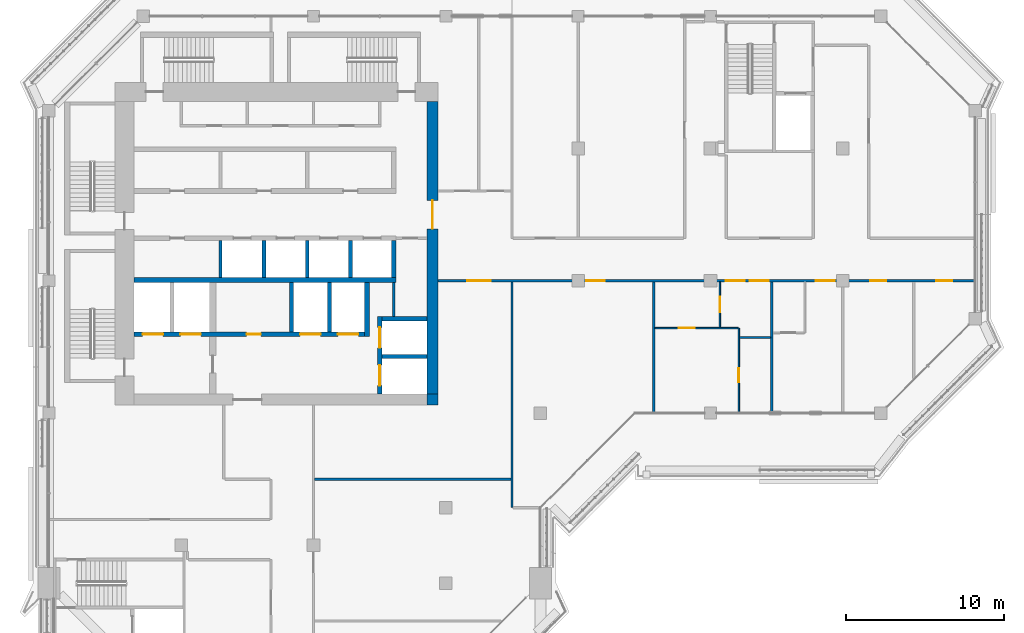
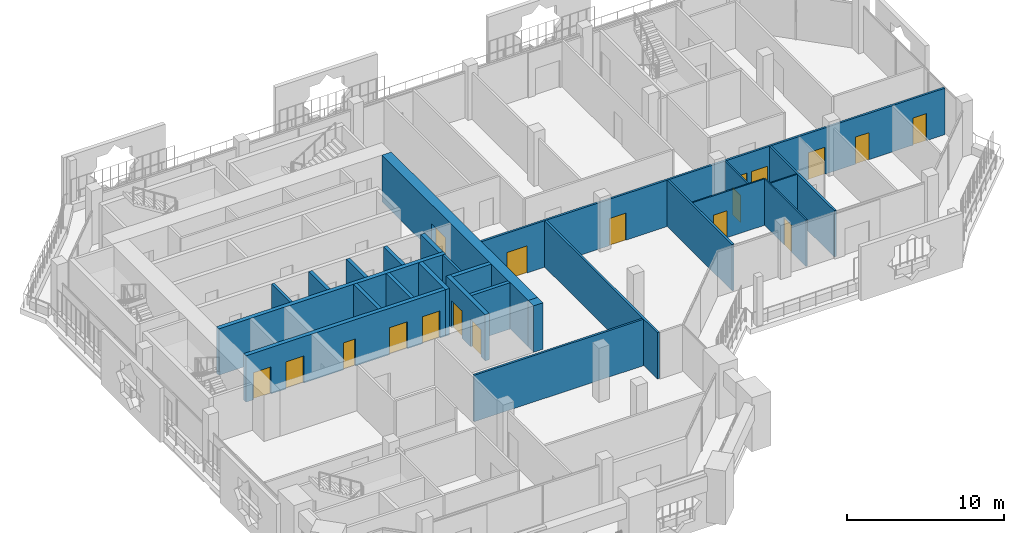
# One storey, part 11 of 22: 25 walls, 18 doors, 18 openings.
"""IFC4 building model written with IfcOpenShell, lengths in metres."""

import ifcopenshell
import ifcopenshell.guid

model = None  # the IFC model being written
_history = None  # IfcOwnerHistory: only IFC2X3 demands one
_inside = {}  # id of a spatial element -> (the spatial element, [elements in it])
_under = {}  # id of a project, library or spatial element -> (it, [spatial elements below it])
_declared = {}  # id of a project -> (the project, [libraries it declares])
_typed = {}  # id of a type object -> (the type object, [elements of that type])
_made_of = {}  # id of a material, layer set ... -> (it, [elements and type objects made of it])


def new_model(schema):
    """Start an empty IFC model of exactly this schema.

    Asked for "IFC4X3", IfcOpenShell would pick the latest addendum, in which some entities
    have other attributes; the version numbers below select the first issue.
    IFC2X3 requires an IfcOwnerHistory on every rooted entity: one is made here for all.
    """
    global model, _history
    if schema == "IFC4X3":
        model = ifcopenshell.file(schema_version=(4, 3, 0, 0))
    else:
        model = ifcopenshell.file(schema=schema)
    _inside.clear()
    _under.clear()
    _declared.clear()
    _typed.clear()
    _made_of.clear()
    _history = None
    if model.schema == "IFC2X3":
        org = make("IfcOrganization", Name="unknown")
        user = make(
            "IfcPersonAndOrganization",
            ThePerson=make("IfcPerson", FamilyName="unknown"),
            TheOrganization=org,
        )
        app = make(
            "IfcApplication",
            ApplicationDeveloper=org,
            Version="unknown",
            ApplicationFullName="unknown",
            ApplicationIdentifier="unknown",
        )
        _history = make(
            "IfcOwnerHistory",
            OwningUser=user,
            OwningApplication=app,
            ChangeAction="ADDED",
            CreationDate=0,
        )
    return model


def make(cls, **values):
    """One entity of the class cls with the attributes given. An attribute that is None is left unset."""
    return model.create_entity(
        cls, **{name: value for name, value in values.items() if value is not None}
    )


def rooted(cls, **values):
    """An entity with a GlobalId (a new one), such as an element, a storey or a relation."""
    return make(cls, GlobalId=ifcopenshell.guid.new(), OwnerHistory=_history, **values)


def si_unit(unit_type, name, prefix=None):
    """IfcSIUnit, for example si_unit("LENGTHUNIT", "METRE", prefix="MILLI")."""
    return make("IfcSIUnit", UnitType=unit_type, Prefix=prefix, Name=name)


def assignment(units):
    """IfcUnitAssignment: the units of a project."""
    return None if units is None else make("IfcUnitAssignment", Units=units)


def point(xyz):
    """IfcCartesianPoint."""
    return None if xyz is None else make("IfcCartesianPoint", Coordinates=xyz)


def direction(xyz):
    """IfcDirection."""
    return None if xyz is None else make("IfcDirection", DirectionRatios=xyz)


def frame(location, z_axis=None, x_axis=None):
    """IfcAxis2Placement3D, a coordinate frame: its origin and axes. An axis left out is left unset."""
    return make(
        "IfcAxis2Placement3D",
        Location=point(location),
        Axis=direction(z_axis),
        RefDirection=direction(x_axis),
    )


def frame_2d(location, x_axis=None):
    """IfcAxis2Placement2D, a coordinate frame in the plane: its origin and x axis."""
    return make(
        "IfcAxis2Placement2D", Location=point(location), RefDirection=direction(x_axis)
    )


def origin():
    """The frame at (0, 0, 0) with its axes left unset."""
    return frame((0.0, 0.0, 0.0))


def place(relative_to, where):
    """IfcLocalPlacement: puts the frame where relative to a parent placement (None: the world)."""
    return make(
        "IfcLocalPlacement", PlacementRelTo=relative_to, RelativePlacement=where
    )


def context(
    kind, dimensions, precision=None, world=None, true_north=None, identifier=None
):
    """IfcGeometricRepresentationContext, for example the 3D "Model" context."""
    return make(
        "IfcGeometricRepresentationContext",
        ContextIdentifier=identifier,
        ContextType=kind,
        CoordinateSpaceDimension=dimensions,
        Precision=precision,
        WorldCoordinateSystem=world,
        TrueNorth=true_north,
    )


def subcontext(parent, identifier, kind, view, scale=None):
    """IfcGeometricRepresentationSubContext, for example "Body" below "Model"."""
    return make(
        "IfcGeometricRepresentationSubContext",
        ContextIdentifier=identifier,
        ContextType=kind,
        ParentContext=parent,
        TargetScale=scale,
        TargetView=view,
    )


def project(units=None, contexts=None):
    """IfcProject with its units and contexts."""
    return rooted(
        "IfcProject",
        Name="project",
        RepresentationContexts=contexts,
        UnitsInContext=assignment(units),
    )


def spatial(cls, under=None, at=None, **own):
    """A site, building, storey or space (cls), placed at a placement, below another one or the project."""
    s = rooted(cls, ObjectPlacement=at, **own)
    if under is not None:
        _under.setdefault(under.id(), (under, []))[1].append(s)
    return s


def profile(cls, at=None, kind="AREA", **sizes):
    """A parametric profile (cls). Its sizes go by their IFC names, for example OverallWidth=200.0."""
    return make(cls, ProfileType=kind, Position=at, **sizes)


def rectangle(**sizes):
    """IfcRectangleProfileDef."""
    return profile("IfcRectangleProfileDef", **sizes)


def extrude(swept, where, along, depth):
    """IfcExtrudedAreaSolid: the profile swept, set in the frame where, extruded along a direction by depth."""
    return make(
        "IfcExtrudedAreaSolid",
        SweptArea=swept,
        Position=where,
        ExtrudedDirection=direction(along),
        Depth=depth,
    )


def shape(context_of_items, identifier, shape_type, items):
    """IfcShapeRepresentation: the items that make up one representation, for example the "Body"."""
    return make(
        "IfcShapeRepresentation",
        ContextOfItems=context_of_items,
        RepresentationIdentifier=identifier,
        RepresentationType=shape_type,
        Items=items,
    )


def material(Name=None, Category=None):
    """IfcMaterial."""
    return make("IfcMaterial", Name=Name, Category=Category)


def layer(
    of_material, thickness, ventilated=None, Name=None, Category=None, Priority=None
):
    """IfcMaterialLayer: one layer of a wall or slab, of a material (None: an air gap)."""
    return make(
        "IfcMaterialLayer",
        Material=of_material,
        LayerThickness=thickness,
        IsVentilated=ventilated,
        Name=Name,
        Category=Category,
        Priority=Priority,
    )


def layer_set(layers, Name=None):
    """IfcMaterialLayerSet."""
    return make("IfcMaterialLayerSet", MaterialLayers=layers, LayerSetName=Name)


def made_of(thing, what):
    """Note that an element or type object is made of a material, layer set ...; save() writes the relation."""
    if what is not None:
        _made_of.setdefault(what.id(), (what, []))[1].append(thing)
    return thing


def type_object(cls, material=None, **own):
    """A type object (cls), such as IfcWallType, which elements share."""
    return made_of(rooted(cls, **own), material)


def element(
    cls,
    number,
    at=None,
    inside=None,
    cuts=None,
    type_object=None,
    material=None,
    context=None,
    identifier="Body",
    shape_type=None,
    held_by="IfcProductDefinitionShape",
    body=None,
    shapes=None,
    **own,
):
    """One element of the class cls, such as IfcWall. Its Tag is "e" and its number.

    at: its placement. inside: the storey or other place that contains it. cuts: it is an
    opening in that element (IfcRelVoidsElement). A single representation is given by context,
    identifier, shape_type and body (its items); several are given by shapes. held_by: the class
    of the entity that holds the representations. save() writes the other relations.
    """
    e = rooted(cls, Tag="e%d" % number, ObjectPlacement=at, **own)
    if body is not None:
        shapes = [shape(context, identifier, shape_type, body)]
    if shapes is not None:
        e.Representation = make(held_by, Representations=shapes)
    if inside is not None:
        _inside.setdefault(inside.id(), (inside, []))[1].append(e)
    if cuts is not None:
        rooted(
            "IfcRelVoidsElement", RelatingBuildingElement=cuts, RelatedOpeningElement=e
        )
    if type_object is not None:
        _typed.setdefault(type_object.id(), (type_object, []))[1].append(e)
    return made_of(e, material)


def fill(opening, filler):
    """IfcRelFillsElement: the door or window that sits in an opening."""
    return rooted(
        "IfcRelFillsElement",
        RelatingOpeningElement=opening,
        RelatedBuildingElement=filler,
    )


def aggregate(whole, parts):
    """IfcRelAggregates: a whole, such as a stair, and the parts it consists of."""
    return rooted("IfcRelAggregates", RelatingObject=whole, RelatedObjects=parts)


def save(model, path):
    """Write the relations noted so far, then the file.

    IfcRelAggregates (storeys below a building ...), IfcRelContainedInSpatialStructure (elements
    in a storey), IfcRelDefinesByType, IfcRelAssociatesMaterial and IfcRelDeclares: one each for
    every whole, place, type object, material and project.
    """
    for whole, parts in _under.values():
        aggregate(whole, parts)
    for where, things in _inside.values():
        rooted(
            "IfcRelContainedInSpatialStructure",
            RelatedElements=things,
            RelatingStructure=where,
        )
    for kind, things in _typed.values():
        rooted("IfcRelDefinesByType", RelatedObjects=things, RelatingType=kind)
    for what, things in _made_of.values():
        rooted("IfcRelAssociatesMaterial", RelatedObjects=things, RelatingMaterial=what)
    for by, libraries in _declared.values():
        rooted("IfcRelDeclares", RelatingContext=by, RelatedDefinitions=libraries)
    model.write(path)


model = new_model("IFC4")

# Units and contexts
model_context = context("Model", 3, precision=1e-05, world=origin(), true_north=direction((0.0, 1.0)))
body_context = subcontext(model_context, "Body", "Model", "MODEL_VIEW")
ifc_project = project(units=[si_unit("LENGTHUNIT", "METRE"), si_unit("AREAUNIT", "SQUARE_METRE"), si_unit("VOLUMEUNIT", "CUBIC_METRE"), si_unit("PLANEANGLEUNIT", "RADIAN"), si_unit("MASSUNIT", "GRAM", prefix="KILO")], contexts=[model_context])

# Site, building, storey
site_placement = place(None, origin())
site = spatial("IfcSite", under=ifc_project, at=site_placement, CompositionType="ELEMENT")
building_placement = place(site_placement, origin())
building = spatial("IfcBuilding", under=site, at=building_placement, Name="Kawkab Arch Medical Tower", CompositionType="ELEMENT")
storey_placement = place(building_placement, frame((0.0, 0.0, 294.39990234375)))
storey = spatial("IfcBuildingStorey", under=building, at=storey_placement, Name="L68", CompositionType="ELEMENT", Elevation=294.39990234375)

# Wall, opening, door
ifc_material_1 = material(Name="Concrete C50/60", Category="concrete")
ifc_layer_1 = layer(ifc_material_1, 0.699951171875)
ifc_layer_set_1 = layer_set([ifc_layer_1], Name="Concrete C50/60")
wall_type_1 = type_object("IfcWallType", Name="Core ring wall 700 C50/60", PredefinedType="SHEAR", material=ifc_layer_set_1)
wall_1_placement = place(storey_placement, frame((24.35009765625, -24.0, 0.0), z_axis=(0.0, 0.0, 1.0), x_axis=(0.0, 1.0, 0.0)))
wall_1 = element("IfcWall", 1, at=wall_1_placement, inside=storey, type_object=wall_type_1, Name="L68 core wall", PredefinedType="SHEAR", context=body_context, shape_type="SweptSolid", body=[
    extrude(rectangle(XDim=18.60009765625, YDim=0.699951171875, at=frame_2d((9.300048828125, 0.0))), origin(), (0.0, 0.0, 1.0), 3.60009765625),
])
opening_1_placement = place(wall_1_placement, frame((10.5, 0.0, 0.0)))
opening_1 = element("IfcOpeningElement", 2, at=opening_1_placement, cuts=wall_1, Name="Opening PD", PredefinedType="OPENING", context=body_context, shape_type="SweptSolid", body=[
    extrude(rectangle(XDim=1.800048828125, YDim=2.10009765625, at=frame_2d((0.89990234375, 1.050048828125))), frame((0.0, 0.35986328125, 0.0), z_axis=(0.0, -1.0, 0.0), x_axis=(1.0, 0.0, 0.0)), (0.0, 0.0, 1.0), 0.719970703125),
])
ifc_material_2 = material(Name="Hollow metal fire door leaf")
door_type_1 = type_object("IfcDoorType", Name="Core entrance doors 1800", OperationType="DOUBLE_DOOR_SINGLE_SWING", PredefinedType="DOOR", material=ifc_material_2)
door_1_placement = place(opening_1_placement, origin())
door_1 = element("IfcDoor", 3, at=door_1_placement, inside=storey, type_object=door_type_1, Name="L68 East entrance doors", OperationType="DOUBLE_DOOR_SINGLE_SWING", OverallHeight=2.10009765625, OverallWidth=1.800048828125, PredefinedType="DOOR", context=body_context, shape_type="SweptSolid", body=[
    extrude(rectangle(XDim=1.800048828125, YDim=2.10009765625, at=frame_2d((0.89990234375, 1.050048828125))), frame((0.0, 0.02490234375, 0.0), z_axis=(0.0, -1.0, 0.0), x_axis=(1.0, 0.0, 0.0)), (0.0, 0.0, 1.0), 0.050048828125),
])
fill(opening_1, door_1)

# Walls
wall_2_placement = place(storey_placement, frame((24.35009765625, -24.699951171875, 0.0), z_axis=(0.0, 0.0, 1.0), x_axis=(0.0, 1.0, 0.0)))
element("IfcWall", 4, at=wall_2_placement, inside=storey, type_object=wall_type_1, Name="L68 core wall", PredefinedType="SHEAR", context=body_context, shape_type="SweptSolid", body=[
    extrude(rectangle(XDim=0.699951171875, YDim=0.699951171875, at=frame_2d((0.35009765625, 0.0))), origin(), (0.0, 0.0, 1.0), 3.60009765625),
])
ifc_material_3 = material(Name="Gypsum board on steel studs", Category="steel")
ifc_layer_2 = layer(ifc_material_3, 0.14990234375)
ifc_layer_set_2 = layer_set([ifc_layer_2], Name="Gypsum board on steel studs")
wall_type_2 = type_object("IfcWallType", Name="Core room partition 150", PredefinedType="PARTITIONING", material=ifc_layer_set_2)
wall_3_placement = place(storey_placement, frame((21.89990234375, -19.050048828125, 0.0), z_axis=(0.0, 0.0, 1.0), x_axis=(0.0, 1.0, 0.0)))
element("IfcWall", 5, at=wall_3_placement, inside=storey, type_object=wall_type_2, Name="L68 core room partition", PredefinedType="PARTITIONING", context=body_context, shape_type="SweptSolid", body=[
    extrude(rectangle(XDim=2.150146484375, YDim=0.14990234375, at=frame_2d((1.0751953125, 0.0))), origin(), (0.0, 0.0, 1.0), 3.60009765625),
])
ifc_material_4 = material(Name="Concrete C60/75", Category="concrete")
ifc_layer_3 = layer(ifc_material_4, 0.25)
ifc_layer_set_3 = layer_set([ifc_layer_3], Name="Concrete C60/75")
wall_type_3 = type_object("IfcWallType", Name="Core shear wall 250 C60/75", PredefinedType="SHEAR", material=ifc_layer_set_3)
wall_4_placement = place(storey_placement, frame((21.14990234375, -21.60009765625, 0.0), z_axis=(0.0, 0.0, 1.0), x_axis=(1.0, 0.0, 0.0)))
element("IfcWall", 6, at=wall_4_placement, inside=storey, type_object=wall_type_3, Name="L68 core shear wall", PredefinedType="SHEAR", context=body_context, shape_type="SweptSolid", body=[
    extrude(rectangle(XDim=2.85009765625, YDim=0.25, at=frame_2d((1.425048828125, 0.0))), origin(), (0.0, 0.0, 1.0), 3.60009765625),
])
for number, where, z_axis, x_axis, name in (
    (7, (15.39990234375, -20.050048828125, 0.0), (0.0, 0.0, 1.0), (0.0, 1.0, 0.0), "L68 core shear wall"),
    (8, (17.800048828125, -20.050048828125, 0.0), (0.0, 0.0, 1.0), (0.0, 1.0, 0.0), "L68 core shear wall"),
):
    element("IfcWall", number, at=place(storey_placement, frame(where, z_axis=z_axis, x_axis=x_axis)), inside=storey, type_object=wall_type_3, Name=name, PredefinedType="SHEAR", context=body_context, shape_type="SweptSolid", body=[
        extrude(rectangle(XDim=3.150146484375, YDim=0.25, at=frame_2d((1.5751953125, 0.0))), origin(), (0.0, 0.0, 1.0), 3.60009765625),
    ])
for number, where, z_axis, x_axis, name in (
    (9, (13.64990234375, -16.60009765625, 0.0), (0.0, 0.0, 1.0), (0.0, 1.0, 0.0), "L68 core shear wall"),
    (10, (16.39990234375, -16.60009765625, 0.0), (0.0, 0.0, 1.0), (0.0, 1.0, 0.0), "L68 core shear wall"),
    (11, (19.14990234375, -16.60009765625, 0.0), (0.0, 0.0, 1.0), (0.0, 1.0, 0.0), "L68 core shear wall"),
):
    element("IfcWall", number, at=place(storey_placement, frame(where, z_axis=z_axis, x_axis=x_axis)), inside=storey, type_object=wall_type_3, Name=name, PredefinedType="SHEAR", context=body_context, shape_type="SweptSolid", body=[
        extrude(rectangle(XDim=2.35009765625, YDim=0.25, at=frame_2d((1.175048828125, 0.0))), origin(), (0.0, 0.0, 1.0), 3.60009765625),
    ])
ifc_material_5 = material(Name="Concrete C60/75", Category="concrete")
ifc_layer_4 = layer(ifc_material_5, 0.300048828125)
ifc_layer_set_4 = layer_set([ifc_layer_4], Name="Concrete C60/75")
wall_type_4 = type_object("IfcWallType", Name="Core shear wall 300 C60/75", PredefinedType="SHEAR", material=ifc_layer_set_4)
wall_5_placement = place(storey_placement, frame((5.39990234375, -16.75, 0.0), z_axis=(0.0, 0.0, 1.0), x_axis=(1.0, 0.0, 0.0)))
element("IfcWall", 12, at=wall_5_placement, inside=storey, type_object=wall_type_4, Name="L68 core shear wall", PredefinedType="SHEAR", context=body_context, shape_type="SweptSolid", body=[
    extrude(rectangle(XDim=16.650146484375, YDim=0.300048828125, at=frame_2d((8.3251953125, 0.0))), origin(), (0.0, 0.0, 1.0), 3.60009765625),
])

# Wall, openings, doors
wall_6_placement = place(storey_placement, frame((5.39990234375, -20.199951171875, 0.0), z_axis=(0.0, 0.0, 1.0), x_axis=(1.0, 0.0, 0.0)))
wall_6 = element("IfcWall", 13, at=wall_6_placement, inside=storey, type_object=wall_type_4, Name="L68 core shear wall", PredefinedType="SHEAR", context=body_context, shape_type="SweptSolid", body=[
    extrude(rectangle(XDim=14.650146484375, YDim=0.300048828125, at=frame_2d((7.3251953125, 0.0))), origin(), (0.0, 0.0, 1.0), 3.60009765625),
])
opening_2_placement = place(wall_6_placement, frame((10.550048828125, 0.0, 0.0)))
opening_2 = element("IfcOpeningElement", 14, at=opening_2_placement, cuts=wall_6, Name="Opening LD2", PredefinedType="OPENING", context=body_context, shape_type="SweptSolid", body=[
    extrude(rectangle(XDim=1.300048828125, YDim=2.10009765625, at=frame_2d((0.64990234375, 1.050048828125))), frame((0.0, 0.159912109375, 0.0), z_axis=(0.0, -1.0, 0.0), x_axis=(1.0, 0.0, 0.0)), (0.0, 0.0, 1.0), 0.320068359375),
])
opening_3_placement = place(wall_6_placement, frame((12.949951171875, 0.0, 0.0)))
opening_3 = element("IfcOpeningElement", 15, at=opening_3_placement, cuts=wall_6, Name="Opening LD2", PredefinedType="OPENING", context=body_context, shape_type="SweptSolid", body=[
    extrude(rectangle(XDim=1.300048828125, YDim=2.10009765625, at=frame_2d((0.64990234375, 1.050048828125))), frame((0.0, 0.159912109375, 0.0), z_axis=(0.0, -1.0, 0.0), x_axis=(1.0, 0.0, 0.0)), (0.0, 0.0, 1.0), 0.320068359375),
])
opening_4_placement = place(wall_6_placement, frame((0.550048828125, 0.0, 0.0)))
opening_4 = element("IfcOpeningElement", 16, at=opening_4_placement, cuts=wall_6, Name="Opening LD2", PredefinedType="OPENING", context=body_context, shape_type="SweptSolid", body=[
    extrude(rectangle(XDim=1.300048828125, YDim=2.10009765625, at=frame_2d((0.64990234375, 1.050048828125))), frame((0.0, 0.159912109375, 0.0), z_axis=(0.0, -1.0, 0.0), x_axis=(1.0, 0.0, 0.0)), (0.0, 0.0, 1.0), 0.320068359375),
])
opening_5_placement = place(wall_6_placement, frame((2.949951171875, 0.0, 0.0)))
opening_5 = element("IfcOpeningElement", 17, at=opening_5_placement, cuts=wall_6, Name="Opening LD2", PredefinedType="OPENING", context=body_context, shape_type="SweptSolid", body=[
    extrude(rectangle(XDim=1.300048828125, YDim=2.10009765625, at=frame_2d((0.64990234375, 1.050048828125))), frame((0.0, 0.159912109375, 0.0), z_axis=(0.0, -1.0, 0.0), x_axis=(1.0, 0.0, 0.0)), (0.0, 0.0, 1.0), 0.320068359375),
])
opening_6_placement = place(wall_6_placement, frame((7.14990234375, 0.0, 0.0)))
opening_6 = element("IfcOpeningElement", 18, at=opening_6_placement, cuts=wall_6, Name="Opening RD", PredefinedType="OPENING", context=body_context, shape_type="SweptSolid", body=[
    extrude(rectangle(XDim=0.89990234375, YDim=2.10009765625, at=frame_2d((0.449951171875, 1.050048828125))), frame((0.0, 0.159912109375, 0.0), z_axis=(0.0, -1.0, 0.0), x_axis=(1.0, 0.0, 0.0)), (0.0, 0.0, 1.0), 0.320068359375),
])
ifc_material_6 = material(Name="Hollow metal fire door leaf")
door_type_2 = type_object("IfcDoorType", Name="Core room door 900", OperationType="SINGLE_SWING_LEFT", PredefinedType="DOOR", material=ifc_material_6)
door_2_placement = place(opening_6_placement, origin())
door_2 = element("IfcDoor", 19, at=door_2_placement, inside=storey, type_object=door_type_2, Name="L68 General store door", OperationType="SINGLE_SWING_LEFT", OverallHeight=2.10009765625, OverallWidth=0.89990234375, PredefinedType="DOOR", context=body_context, shape_type="SweptSolid", body=[
    extrude(rectangle(XDim=0.89990234375, YDim=2.10009765625, at=frame_2d((0.449951171875, 1.050048828125))), frame((0.0, 0.02490234375, 0.0), z_axis=(0.0, -1.0, 0.0), x_axis=(1.0, 0.0, 0.0)), (0.0, 0.0, 1.0), 0.050048828125),
])
fill(opening_6, door_2)
ifc_material_7 = material(Name="Stainless steel lift door leaf", Category="steel")
door_type_3 = type_object("IfcDoorType", Name="Lift landing door 1300", OperationType="DOUBLE_DOOR_SLIDING", PredefinedType="DOOR", material=ifc_material_7)
door_3_placement = place(opening_2_placement, origin())
door_3 = element("IfcDoor", 20, at=door_3_placement, inside=storey, type_object=door_type_3, Name="L68 Lift landing door BD3", OperationType="DOUBLE_DOOR_SLIDING", OverallHeight=2.10009765625, OverallWidth=1.300048828125, PredefinedType="DOOR", context=body_context, shape_type="SweptSolid", body=[
    extrude(rectangle(XDim=1.300048828125, YDim=2.10009765625, at=frame_2d((0.64990234375, 1.050048828125))), frame((0.0, 0.02490234375, 0.0), z_axis=(0.0, -1.0, 0.0), x_axis=(1.0, 0.0, 0.0)), (0.0, 0.0, 1.0), 0.050048828125),
])
fill(opening_2, door_3)
door_4_placement = place(opening_3_placement, origin())
door_4 = element("IfcDoor", 21, at=door_4_placement, inside=storey, type_object=door_type_3, Name="L68 Lift landing door BD4", OperationType="DOUBLE_DOOR_SLIDING", OverallHeight=2.10009765625, OverallWidth=1.300048828125, PredefinedType="DOOR", context=body_context, shape_type="SweptSolid", body=[
    extrude(rectangle(XDim=1.300048828125, YDim=2.10009765625, at=frame_2d((0.64990234375, 1.050048828125))), frame((0.0, 0.02490234375, 0.0), z_axis=(0.0, -1.0, 0.0), x_axis=(1.0, 0.0, 0.0)), (0.0, 0.0, 1.0), 0.050048828125),
])
fill(opening_3, door_4)
door_5_placement = place(opening_4_placement, origin())
door_5 = element("IfcDoor", 22, at=door_5_placement, inside=storey, type_object=door_type_3, Name="L68 Lift landing door FL1", OperationType="DOUBLE_DOOR_SLIDING", OverallHeight=2.10009765625, OverallWidth=1.300048828125, PredefinedType="DOOR", context=body_context, shape_type="SweptSolid", body=[
    extrude(rectangle(XDim=1.300048828125, YDim=2.10009765625, at=frame_2d((0.64990234375, 1.050048828125))), frame((0.0, 0.02490234375, 0.0), z_axis=(0.0, -1.0, 0.0), x_axis=(1.0, 0.0, 0.0)), (0.0, 0.0, 1.0), 0.050048828125),
])
fill(opening_4, door_5)
door_6_placement = place(opening_5_placement, origin())
door_6 = element("IfcDoor", 23, at=door_6_placement, inside=storey, type_object=door_type_3, Name="L68 Lift landing door FL2", OperationType="DOUBLE_DOOR_SLIDING", OverallHeight=2.10009765625, OverallWidth=1.300048828125, PredefinedType="DOOR", context=body_context, shape_type="SweptSolid", body=[
    extrude(rectangle(XDim=1.300048828125, YDim=2.10009765625, at=frame_2d((0.64990234375, 1.050048828125))), frame((0.0, 0.02490234375, 0.0), z_axis=(0.0, -1.0, 0.0), x_axis=(1.0, 0.0, 0.0)), (0.0, 0.0, 1.0), 0.050048828125),
])
fill(opening_5, door_6)

# Walls
wall_7_placement = place(storey_placement, frame((20.199951171875, -20.35009765625, 0.0), z_axis=(0.0, 0.0, 1.0), x_axis=(0.0, 1.0, 0.0)))
element("IfcWall", 24, at=wall_7_placement, inside=storey, type_object=wall_type_4, Name="L68 core shear wall", PredefinedType="SHEAR", context=body_context, shape_type="SweptSolid", body=[
    extrude(rectangle(XDim=3.4501953125, YDim=0.300048828125, at=frame_2d((1.72509765625, 0.0))), origin(), (0.0, 0.0, 1.0), 3.60009765625),
])
wall_8_placement = place(storey_placement, frame((21.89990234375, -16.60009765625, 0.0), z_axis=(0.0, 0.0, 1.0), x_axis=(0.0, 1.0, 0.0)))
element("IfcWall", 25, at=wall_8_placement, inside=storey, type_object=wall_type_4, Name="L68 core shear wall", PredefinedType="SHEAR", context=body_context, shape_type="SweptSolid", body=[
    extrude(rectangle(XDim=2.35009765625, YDim=0.300048828125, at=frame_2d((1.175048828125, 0.0))), origin(), (0.0, 0.0, 1.0), 3.60009765625),
])
wall_9_placement = place(storey_placement, frame((21.14990234375, -19.199951171875, 0.0), z_axis=(0.0, 0.0, 1.0), x_axis=(1.0, 0.0, 0.0)))
element("IfcWall", 26, at=wall_9_placement, inside=storey, type_object=wall_type_4, Name="L68 core shear wall", PredefinedType="SHEAR", context=body_context, shape_type="SweptSolid", body=[
    extrude(rectangle(XDim=2.85009765625, YDim=0.300048828125, at=frame_2d((1.425048828125, 0.0))), origin(), (0.0, 0.0, 1.0), 3.60009765625),
])

# Wall, openings, doors
wall_10_placement = place(storey_placement, frame((21.0, -24.0, 0.0), z_axis=(0.0, 0.0, 1.0), x_axis=(0.0, 1.0, 0.0)))
wall_10 = element("IfcWall", 27, at=wall_10_placement, inside=storey, type_object=wall_type_4, Name="L68 core shear wall", PredefinedType="SHEAR", context=body_context, shape_type="SweptSolid", body=[
    extrude(rectangle(XDim=4.949951171875, YDim=0.300048828125, at=frame_2d((2.47509765625, 0.0))), origin(), (0.0, 0.0, 1.0), 3.60009765625),
])
opening_7_placement = place(wall_10_placement, frame((2.949951171875, 0.0, 0.0)))
opening_7 = element("IfcOpeningElement", 28, at=opening_7_placement, cuts=wall_10, Name="Opening LD2", PredefinedType="OPENING", context=body_context, shape_type="SweptSolid", body=[
    extrude(rectangle(XDim=1.300048828125, YDim=2.10009765625, at=frame_2d((0.64990234375, 1.050048828125))), frame((0.0, 0.159912109375, 0.0), z_axis=(0.0, -1.0, 0.0), x_axis=(1.0, 0.0, 0.0)), (0.0, 0.0, 1.0), 0.320068359375),
])
opening_8_placement = place(wall_10_placement, frame((0.550048828125, 0.0, 0.0)))
opening_8 = element("IfcOpeningElement", 29, at=opening_8_placement, cuts=wall_10, Name="Opening LD2", PredefinedType="OPENING", context=body_context, shape_type="SweptSolid", body=[
    extrude(rectangle(XDim=1.300048828125, YDim=2.10009765625, at=frame_2d((0.64990234375, 1.050048828125))), frame((0.0, 0.159912109375, 0.0), z_axis=(0.0, -1.0, 0.0), x_axis=(1.0, 0.0, 0.0)), (0.0, 0.0, 1.0), 0.320068359375),
])
door_7_placement = place(opening_7_placement, origin())
door_7 = element("IfcDoor", 30, at=door_7_placement, inside=storey, type_object=door_type_3, Name="L68 Lift landing door BD1", OperationType="DOUBLE_DOOR_SLIDING", OverallHeight=2.10009765625, OverallWidth=1.300048828125, PredefinedType="DOOR", context=body_context, shape_type="SweptSolid", body=[
    extrude(rectangle(XDim=1.300048828125, YDim=2.10009765625, at=frame_2d((0.64990234375, 1.050048828125))), frame((0.0, 0.02490234375, 0.0), z_axis=(0.0, -1.0, 0.0), x_axis=(1.0, 0.0, 0.0)), (0.0, 0.0, 1.0), 0.050048828125),
])
fill(opening_7, door_7)
door_8_placement = place(opening_8_placement, origin())
door_8 = element("IfcDoor", 31, at=door_8_placement, inside=storey, type_object=door_type_3, Name="L68 Lift landing door BD2", OperationType="DOUBLE_DOOR_SLIDING", OverallHeight=2.10009765625, OverallWidth=1.300048828125, PredefinedType="DOOR", context=body_context, shape_type="SweptSolid", body=[
    extrude(rectangle(XDim=1.300048828125, YDim=2.10009765625, at=frame_2d((0.64990234375, 1.050048828125))), frame((0.0, 0.02490234375, 0.0), z_axis=(0.0, -1.0, 0.0), x_axis=(1.0, 0.0, 0.0)), (0.0, 0.0, 1.0), 0.050048828125),
])
fill(opening_8, door_8)

# Walls
ifc_material_8 = material(Name="Dense concrete blockwork", Category="masonry")
ifc_layer_5 = layer(ifc_material_8, 0.199951171875)
ifc_layer_set_5 = layer_set([ifc_layer_5], Name="Dense concrete blockwork")
wall_type_5 = type_object("IfcWallType", Name="Lift shaft partition 200", PredefinedType="PARTITIONING", material=ifc_layer_set_5)
wall_11_placement = place(storey_placement, frame((10.89990234375, -16.60009765625, 0.0), z_axis=(0.0, 0.0, 1.0), x_axis=(0.0, 1.0, 0.0)))
element("IfcWall", 32, at=wall_11_placement, inside=storey, type_object=wall_type_5, Name="L68 lift shaft partition", PredefinedType="PARTITIONING", context=body_context, shape_type="SweptSolid", body=[
    extrude(rectangle(XDim=2.35009765625, YDim=0.199951171875, at=frame_2d((1.175048828125, 0.0))), origin(), (0.0, 0.0, 1.0), 3.60009765625),
])
ifc_material_9 = material(Name="Gypsum board partition on steel studs", Category="steel")
ifc_layer_6 = layer(ifc_material_9, 0.10009765625)
ifc_layer_set_6 = layer_set([ifc_layer_6], Name="Gypsum board partition on steel studs")
wall_type_6 = type_object("IfcWallType", Name="Partition 100", PredefinedType="PARTITIONING", material=ifc_layer_set_6)
wall_12_placement = place(storey_placement, frame((43.85009765625, -20.39990234375, 0.0), z_axis=(0.0, 0.0, 1.0), x_axis=(1.0, 0.0, 0.0)))
element("IfcWall", 33, at=wall_12_placement, inside=storey, type_object=wall_type_6, Name="Partition 100 w001", PredefinedType="PARTITIONING", context=body_context, shape_type="SweptSolid", body=[
    extrude(rectangle(XDim=1.974853515625, YDim=0.10009765625, at=frame_2d((0.9873046875, 0.0))), origin(), (0.0, 0.0, 1.0), 3.60009765625),
])

# Wall, opening, door
wall_13_placement = place(storey_placement, frame((38.47509765625, -19.800048828125, 0.0), z_axis=(0.0, 0.0, 1.0), x_axis=(1.0, 0.0, 0.0)))
wall_13 = element("IfcWall", 34, at=wall_13_placement, inside=storey, type_object=wall_type_6, Name="Partition 100 w003", PredefinedType="PARTITIONING", context=body_context, shape_type="SweptSolid", body=[
    extrude(rectangle(XDim=5.27490234375, YDim=0.10009765625, at=frame_2d((2.637451171875, 0.0))), origin(), (0.0, 0.0, 1.0), 3.60009765625),
])
opening_9_placement = place(wall_13_placement, frame((1.52490234375, 0.0, 0.0)))
opening_9 = element("IfcOpeningElement", 35, at=opening_9_placement, cuts=wall_13, Name="Opening W68-007", PredefinedType="OPENING", context=body_context, shape_type="SweptSolid", body=[
    extrude(rectangle(XDim=1.0, YDim=2.10009765625, at=frame_2d((0.5, 1.050048828125))), frame((0.0, 0.06005859375, 0.0), z_axis=(0.0, -1.0, 0.0), x_axis=(1.0, 0.0, 0.0)), (0.0, 0.0, 1.0), 0.1201171875),
])
ifc_material_10 = material(Name="Timber door leaf", Category="wood")
door_type_4 = type_object("IfcDoorType", Name="Single door 1000x2100", OperationType="NOTDEFINED", PredefinedType="DOOR", material=ifc_material_10)
door_9_placement = place(opening_9_placement, origin())
door_9 = element("IfcDoor", 36, at=door_9_placement, inside=storey, type_object=door_type_4, Name="Door W68-007", OperationType="SINGLE_SWING_RIGHT", OverallHeight=2.10009765625, OverallWidth=1.0, PredefinedType="DOOR", context=body_context, shape_type="SweptSolid", body=[
    extrude(rectangle(XDim=1.0, YDim=2.10009765625, at=frame_2d((0.5, 1.050048828125))), frame((0.0, 0.02490234375, 0.0), z_axis=(0.0, -1.0, 0.0), x_axis=(1.0, 0.0, 0.0)), (0.0, 0.0, 1.0), 0.050048828125),
])
fill(opening_9, door_9)

wall_14_placement = place(storey_placement, frame((42.60009765625, -19.75, 0.0), z_axis=(0.0, 0.0, 1.0), x_axis=(0.0, 1.0, 0.0)))
wall_14 = element("IfcWall", 37, at=wall_14_placement, inside=storey, type_object=wall_type_6, Name="Partition 100 w004", PredefinedType="PARTITIONING", context=body_context, shape_type="SweptSolid", body=[
    extrude(rectangle(XDim=2.875, YDim=0.10009765625, at=frame_2d((1.4375, 0.0))), origin(), (0.0, 0.0, 1.0), 3.60009765625),
])
opening_10_placement = place(wall_14_placement, frame((0.949951171875, 0.0, 0.0)))
opening_10 = element("IfcOpeningElement", 38, at=opening_10_placement, cuts=wall_14, Name="Opening W68-008", PredefinedType="OPENING", context=body_context, shape_type="SweptSolid", body=[
    extrude(rectangle(XDim=1.0, YDim=2.10009765625, at=frame_2d((0.5, 1.050048828125))), frame((0.0, 0.06005859375, 0.0), z_axis=(0.0, -1.0, 0.0), x_axis=(1.0, 0.0, 0.0)), (0.0, 0.0, 1.0), 0.1201171875),
])
door_10_placement = place(opening_10_placement, origin())
door_10 = element("IfcDoor", 39, at=door_10_placement, inside=storey, type_object=door_type_4, Name="Door W68-008", OperationType="SINGLE_SWING_LEFT", OverallHeight=2.10009765625, OverallWidth=1.0, PredefinedType="DOOR", context=body_context, shape_type="SweptSolid", body=[
    extrude(rectangle(XDim=1.0, YDim=2.10009765625, at=frame_2d((0.5, 1.050048828125))), frame((0.0, 0.02490234375, 0.0), z_axis=(0.0, -1.0, 0.0), x_axis=(1.0, 0.0, 0.0)), (0.0, 0.0, 1.0), 0.050048828125),
])
fill(opening_10, door_10)

wall_15_placement = place(storey_placement, frame((43.800048828125, -25.1201171875, 0.0), z_axis=(0.0, 0.0, 1.0), x_axis=(0.0, 1.0, 0.0)))
wall_15 = element("IfcWall", 40, at=wall_15_placement, inside=storey, type_object=wall_type_6, Name="Partition 100 w005", PredefinedType="PARTITIONING", context=body_context, shape_type="SweptSolid", body=[
    extrude(rectangle(XDim=5.320068359375, YDim=0.10009765625, at=frame_2d((2.66015625, 0.0))), origin(), (0.0, 0.0, 1.0), 3.60009765625),
])
opening_11_placement = place(wall_15_placement, frame((1.8701171875, 0.0, 0.0)))
opening_11 = element("IfcOpeningElement", 41, at=opening_11_placement, cuts=wall_15, Name="Opening W68-004", PredefinedType="OPENING", context=body_context, shape_type="SweptSolid", body=[
    extrude(rectangle(XDim=0.89990234375, YDim=2.10009765625, at=frame_2d((0.449951171875, 1.050048828125))), frame((0.0, 0.06005859375, 0.0), z_axis=(0.0, -1.0, 0.0), x_axis=(1.0, 0.0, 0.0)), (0.0, 0.0, 1.0), 0.1201171875),
])
ifc_material_11 = material(Name="Timber door leaf", Category="wood")
door_type_5 = type_object("IfcDoorType", Name="Single door 900x2100", OperationType="NOTDEFINED", PredefinedType="DOOR", material=ifc_material_11)
door_11_placement = place(opening_11_placement, origin())
door_11 = element("IfcDoor", 42, at=door_11_placement, inside=storey, type_object=door_type_5, Name="Door W68-004", OperationType="SINGLE_SWING_LEFT", OverallHeight=2.10009765625, OverallWidth=0.89990234375, PredefinedType="DOOR", context=body_context, shape_type="SweptSolid", body=[
    extrude(rectangle(XDim=0.89990234375, YDim=2.10009765625, at=frame_2d((0.449951171875, 1.050048828125))), frame((0.0, 0.02490234375, 0.0), z_axis=(0.0, -1.0, 0.0), x_axis=(1.0, 0.0, 0.0)), (0.0, 0.0, 1.0), 0.050048828125),
])
fill(opening_11, door_11)

# Wall
ifc_material_12 = material(Name="Gypsum board partition on steel studs, mineral wool", Category="steel")
ifc_layer_7 = layer(ifc_material_12, 0.14990234375)
ifc_layer_set_7 = layer_set([ifc_layer_7], Name="Gypsum board partition on steel studs, mineral wool")
wall_type_7 = type_object("IfcWallType", Name="Partition 150", PredefinedType="PARTITIONING", material=ifc_layer_set_7)
wall_16_placement = place(storey_placement, frame((16.875, -29.39990234375, 0.0), z_axis=(0.0, 0.0, 1.0), x_axis=(1.0, 0.0, 0.0)))
element("IfcWall", 43, at=wall_16_placement, inside=storey, type_object=wall_type_7, Name="Partition 150 w013", PredefinedType="PARTITIONING", context=body_context, shape_type="SweptSolid", body=[
    extrude(rectangle(XDim=12.449951171875, YDim=0.14990234375, at=frame_2d((6.22509765625, 0.0))), origin(), (0.0, 0.0, 1.0), 3.60009765625),
])

# Wall, openings, doors
wall_17_placement = place(storey_placement, frame((24.699951171875, -16.800048828125, 0.0), z_axis=(0.0, 0.0, 1.0), x_axis=(1.0, 0.0, 0.0)))
wall_17 = element("IfcWall", 44, at=wall_17_placement, inside=storey, type_object=wall_type_7, Name="Partition 150 w014", PredefinedType="PARTITIONING", context=body_context, shape_type="SweptSolid", body=[
    extrude(rectangle(XDim=34.02001953125, YDim=0.14990234375, at=frame_2d((17.010009765625, 0.0))), origin(), (0.0, 0.0, 1.0), 3.60009765625),
])
opening_12_placement = place(wall_17_placement, frame((1.85009765625, 0.0, 0.0)))
opening_12 = element("IfcOpeningElement", 45, at=opening_12_placement, cuts=wall_17, Name="Opening W68-001", PredefinedType="OPENING", context=body_context, shape_type="SweptSolid", body=[
    extrude(rectangle(XDim=1.5, YDim=2.10009765625, at=frame_2d((0.75, 1.050048828125))), frame((0.0, 0.0849609375, 0.0), z_axis=(0.0, -1.0, 0.0), x_axis=(1.0, 0.0, 0.0)), (0.0, 0.0, 1.0), 0.169921875),
])
opening_13_placement = place(wall_17_placement, frame((9.39990234375, 0.0, 0.0)))
opening_13 = element("IfcOpeningElement", 46, at=opening_13_placement, cuts=wall_17, Name="Opening W68-015", PredefinedType="OPENING", context=body_context, shape_type="SweptSolid", body=[
    extrude(rectangle(XDim=1.199951171875, YDim=2.10009765625, at=frame_2d((0.60009765625, 1.050048828125))), frame((0.0, 0.0849609375, 0.0), z_axis=(0.0, -1.0, 0.0), x_axis=(1.0, 0.0, 0.0)), (0.0, 0.0, 1.0), 0.169921875),
])
opening_14_placement = place(wall_17_placement, frame((19.800048828125, 0.0, 0.0)))
opening_14 = element("IfcOpeningElement", 47, at=opening_14_placement, cuts=wall_17, Name="Opening W68-016", PredefinedType="OPENING", context=body_context, shape_type="SweptSolid", body=[
    extrude(rectangle(XDim=1.199951171875, YDim=2.10009765625, at=frame_2d((0.60009765625, 1.050048828125))), frame((0.0, 0.0849609375, 0.0), z_axis=(0.0, -1.0, 0.0), x_axis=(1.0, 0.0, 0.0)), (0.0, 0.0, 1.0), 0.169921875),
])
opening_15_placement = place(wall_17_placement, frame((18.280029296875, 0.0, 0.0)))
opening_15 = element("IfcOpeningElement", 48, at=opening_15_placement, cuts=wall_17, Name="Opening W68-017", PredefinedType="OPENING", context=body_context, shape_type="SweptSolid", body=[
    extrude(rectangle(XDim=1.199951171875, YDim=2.10009765625, at=frame_2d((0.60009765625, 1.050048828125))), frame((0.0, 0.0849609375, 0.0), z_axis=(0.0, -1.0, 0.0), x_axis=(1.0, 0.0, 0.0)), (0.0, 0.0, 1.0), 0.169921875),
])
opening_16_placement = place(wall_17_placement, frame((24.0, 0.0, 0.0)))
opening_16 = element("IfcOpeningElement", 49, at=opening_16_placement, cuts=wall_17, Name="Opening W68-018", PredefinedType="OPENING", context=body_context, shape_type="SweptSolid", body=[
    extrude(rectangle(XDim=1.199951171875, YDim=2.10009765625, at=frame_2d((0.60009765625, 1.050048828125))), frame((0.0, 0.0849609375, 0.0), z_axis=(0.0, -1.0, 0.0), x_axis=(1.0, 0.0, 0.0)), (0.0, 0.0, 1.0), 0.169921875),
])
opening_17_placement = place(wall_17_placement, frame((27.449951171875, 0.0, 0.0)))
opening_17 = element("IfcOpeningElement", 50, at=opening_17_placement, cuts=wall_17, Name="Opening W68-011", PredefinedType="OPENING", context=body_context, shape_type="SweptSolid", body=[
    extrude(rectangle(XDim=1.0, YDim=2.10009765625, at=frame_2d((0.5, 1.050048828125))), frame((0.0, 0.0849609375, 0.0), z_axis=(0.0, -1.0, 0.0), x_axis=(1.0, 0.0, 0.0)), (0.0, 0.0, 1.0), 0.169921875),
])
opening_18_placement = place(wall_17_placement, frame((31.64990234375, 0.0, 0.0)))
opening_18 = element("IfcOpeningElement", 51, at=opening_18_placement, cuts=wall_17, Name="Opening W68-012", PredefinedType="OPENING", context=body_context, shape_type="SweptSolid", body=[
    extrude(rectangle(XDim=1.0, YDim=2.10009765625, at=frame_2d((0.5, 1.050048828125))), frame((0.0, 0.0849609375, 0.0), z_axis=(0.0, -1.0, 0.0), x_axis=(1.0, 0.0, 0.0)), (0.0, 0.0, 1.0), 0.169921875),
])
ifc_material_13 = material(Name="Hollow metal door leaf")
door_type_6 = type_object("IfcDoorType", Name="Double door 1500x2100 FD30S", OperationType="NOTDEFINED", PredefinedType="DOOR", material=ifc_material_13)
door_12_placement = place(opening_12_placement, origin())
door_12 = element("IfcDoor", 52, at=door_12_placement, inside=storey, type_object=door_type_6, Name="Door W68-001", OperationType="DOUBLE_DOOR_SINGLE_SWING", OverallHeight=2.10009765625, OverallWidth=1.5, PredefinedType="DOOR", context=body_context, shape_type="SweptSolid", body=[
    extrude(rectangle(XDim=1.5, YDim=2.10009765625, at=frame_2d((0.75, 1.050048828125))), frame((0.0, 0.02490234375, 0.0), z_axis=(0.0, -1.0, 0.0), x_axis=(1.0, 0.0, 0.0)), (0.0, 0.0, 1.0), 0.050048828125),
])
fill(opening_12, door_12)
ifc_material_14 = material(Name="Hollow metal door leaf")
door_type_7 = type_object("IfcDoorType", Name="Single door 1000x2100 FD30S", OperationType="NOTDEFINED", PredefinedType="DOOR", material=ifc_material_14)
door_13_placement = place(opening_17_placement, origin())
door_13 = element("IfcDoor", 53, at=door_13_placement, inside=storey, type_object=door_type_7, Name="Door W68-011", OperationType="SINGLE_SWING_LEFT", OverallHeight=2.10009765625, OverallWidth=1.0, PredefinedType="DOOR", context=body_context, shape_type="SweptSolid", body=[
    extrude(rectangle(XDim=1.0, YDim=2.10009765625, at=frame_2d((0.5, 1.050048828125))), frame((0.0, 0.02490234375, 0.0), z_axis=(0.0, -1.0, 0.0), x_axis=(1.0, 0.0, 0.0)), (0.0, 0.0, 1.0), 0.050048828125),
])
fill(opening_17, door_13)
door_14_placement = place(opening_18_placement, origin())
door_14 = element("IfcDoor", 54, at=door_14_placement, inside=storey, type_object=door_type_7, Name="Door W68-012", OperationType="SINGLE_SWING_LEFT", OverallHeight=2.10009765625, OverallWidth=1.0, PredefinedType="DOOR", context=body_context, shape_type="SweptSolid", body=[
    extrude(rectangle(XDim=1.0, YDim=2.10009765625, at=frame_2d((0.5, 1.050048828125))), frame((0.0, 0.02490234375, 0.0), z_axis=(0.0, -1.0, 0.0), x_axis=(1.0, 0.0, 0.0)), (0.0, 0.0, 1.0), 0.050048828125),
])
fill(opening_18, door_14)
ifc_material_15 = material(Name="Hollow metal door leaf")
door_type_8 = type_object("IfcDoorType", Name="Single door 1200x2100 FD30S", OperationType="NOTDEFINED", PredefinedType="DOOR", material=ifc_material_15)
door_15_placement = place(opening_13_placement, origin())
door_15 = element("IfcDoor", 55, at=door_15_placement, inside=storey, type_object=door_type_8, Name="Door W68-015", OperationType="SINGLE_SWING_RIGHT", OverallHeight=2.10009765625, OverallWidth=1.199951171875, PredefinedType="DOOR", context=body_context, shape_type="SweptSolid", body=[
    extrude(rectangle(XDim=1.199951171875, YDim=2.10009765625, at=frame_2d((0.60009765625, 1.050048828125))), frame((0.0, 0.02490234375, 0.0), z_axis=(0.0, -1.0, 0.0), x_axis=(1.0, 0.0, 0.0)), (0.0, 0.0, 1.0), 0.050048828125),
])
fill(opening_13, door_15)
door_16_placement = place(opening_14_placement, origin())
door_16 = element("IfcDoor", 56, at=door_16_placement, inside=storey, type_object=door_type_8, Name="Door W68-016", OperationType="SINGLE_SWING_LEFT", OverallHeight=2.10009765625, OverallWidth=1.199951171875, PredefinedType="DOOR", context=body_context, shape_type="SweptSolid", body=[
    extrude(rectangle(XDim=1.199951171875, YDim=2.10009765625, at=frame_2d((0.60009765625, 1.050048828125))), frame((0.0, 0.02490234375, 0.0), z_axis=(0.0, -1.0, 0.0), x_axis=(1.0, 0.0, 0.0)), (0.0, 0.0, 1.0), 0.050048828125),
])
fill(opening_14, door_16)
door_17_placement = place(opening_15_placement, origin())
door_17 = element("IfcDoor", 57, at=door_17_placement, inside=storey, type_object=door_type_8, Name="Door W68-017", OperationType="SINGLE_SWING_LEFT", OverallHeight=2.10009765625, OverallWidth=1.199951171875, PredefinedType="DOOR", context=body_context, shape_type="SweptSolid", body=[
    extrude(rectangle(XDim=1.199951171875, YDim=2.10009765625, at=frame_2d((0.60009765625, 1.050048828125))), frame((0.0, 0.02490234375, 0.0), z_axis=(0.0, -1.0, 0.0), x_axis=(1.0, 0.0, 0.0)), (0.0, 0.0, 1.0), 0.050048828125),
])
fill(opening_15, door_17)
door_18_placement = place(opening_16_placement, origin())
door_18 = element("IfcDoor", 58, at=door_18_placement, inside=storey, type_object=door_type_8, Name="Door W68-018", OperationType="SINGLE_SWING_LEFT", OverallHeight=2.10009765625, OverallWidth=1.199951171875, PredefinedType="DOOR", context=body_context, shape_type="SweptSolid", body=[
    extrude(rectangle(XDim=1.199951171875, YDim=2.10009765625, at=frame_2d((0.60009765625, 1.050048828125))), frame((0.0, 0.02490234375, 0.0), z_axis=(0.0, -1.0, 0.0), x_axis=(1.0, 0.0, 0.0)), (0.0, 0.0, 1.0), 0.050048828125),
])
fill(opening_16, door_18)

# Walls
wall_18_placement = place(storey_placement, frame((29.39990234375, -31.197998046875, 0.0), z_axis=(0.0, 0.0, 1.0), x_axis=(0.0, 1.0, 0.0)))
element("IfcWall", 59, at=wall_18_placement, inside=storey, type_object=wall_type_7, Name="Partition 150 w032", PredefinedType="PARTITIONING", context=body_context, shape_type="SweptSolid", body=[
    extrude(rectangle(XDim=14.322998046875, YDim=0.14990234375, at=frame_2d((7.16162109375, 0.0))), origin(), (0.0, 0.0, 1.0), 3.60009765625),
])
for number, where, z_axis, x_axis, name in (
    (60, (38.39990234375, -25.1201171875, 0.0), (0.0, 0.0, 1.0), (0.0, 1.0, 0.0), "Partition 150 w035"),
    (61, (45.89990234375, -25.1201171875, 0.0), (0.0, 0.0, 1.0), (0.0, 1.0, 0.0), "Partition 150 w039"),
):
    element("IfcWall", number, at=place(storey_placement, frame(where, z_axis=z_axis, x_axis=x_axis)), inside=storey, type_object=wall_type_7, Name=name, PredefinedType="PARTITIONING", context=body_context, shape_type="SweptSolid", body=[
        extrude(rectangle(XDim=8.2451171875, YDim=0.14990234375, at=frame_2d((4.12255859375, 0.0))), origin(), (0.0, 0.0, 1.0), 3.60009765625),
    ])

save(model, "model.ifc")
